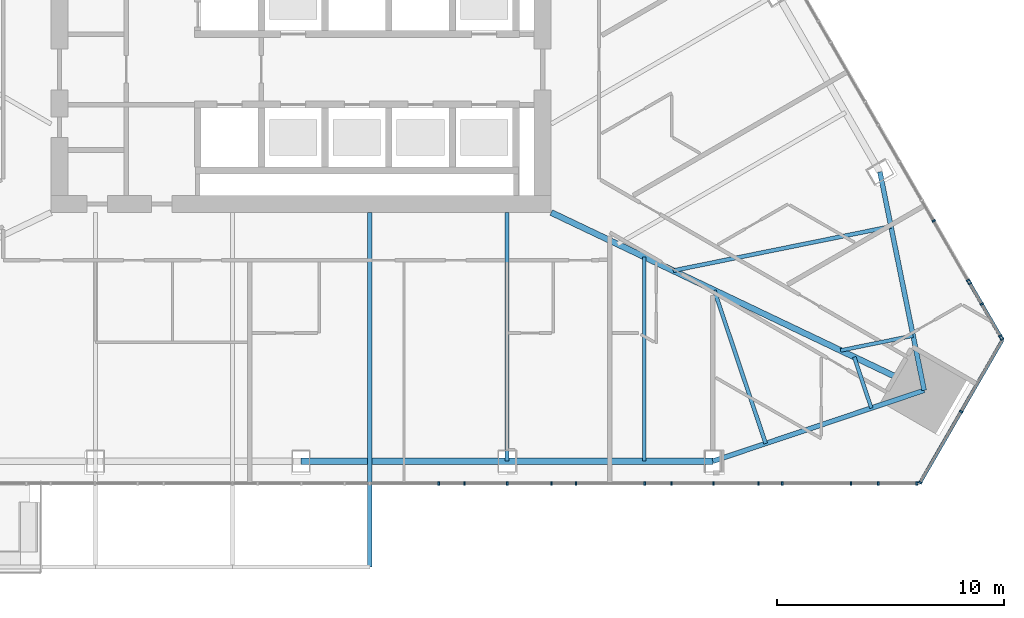
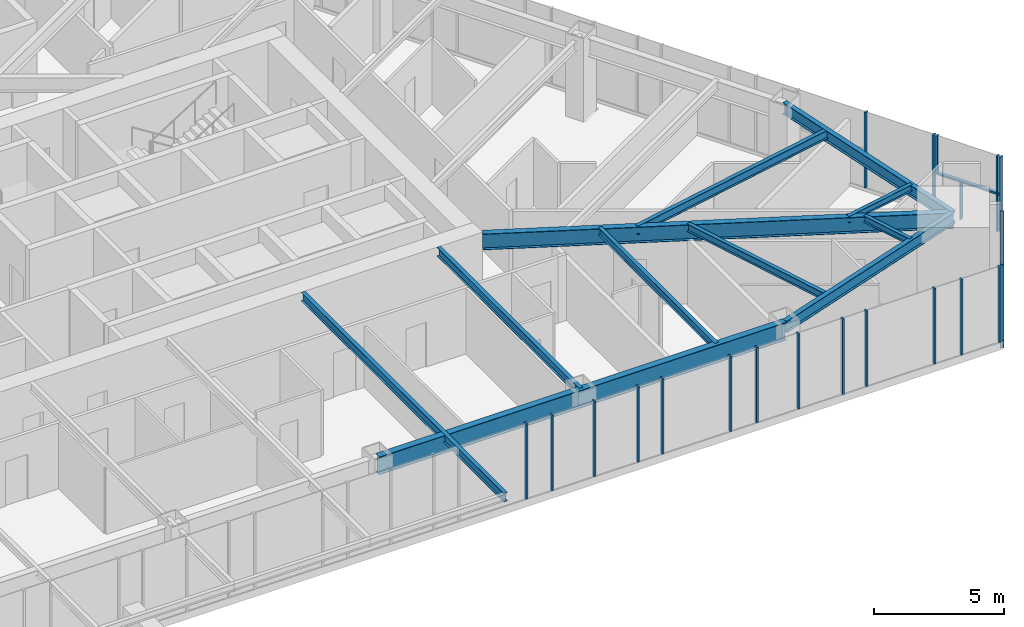
# One storey, part 6 of 35: 24 members, 11 beams, 3 elements without a shape of their own.
"""IFC4 building model written with IfcOpenShell, lengths in metres."""

from ifc_helpers import new_model, si_unit, direction, frame, origin, origin_2d, place, context, subcontext, project, spatial, rectangle, i_section, extrude, material, layer, layer_set, material_profile, profile_set, type_object, element, aggregate, save


model = new_model("IFC4")

# Units and contexts
model_context = context("Model", 3, precision=1e-05, world=origin(), true_north=direction((0.0, 1.0)))
body_context = subcontext(model_context, "Body", "Model", "MODEL_VIEW")
ifc_project = project(units=[si_unit("LENGTHUNIT", "METRE"), si_unit("AREAUNIT", "SQUARE_METRE"), si_unit("VOLUMEUNIT", "CUBIC_METRE"), si_unit("PLANEANGLEUNIT", "RADIAN"), si_unit("MASSUNIT", "GRAM", prefix="KILO")], contexts=[model_context])

# Site, building, storey
site_placement = place(None, origin())
site = spatial("IfcSite", under=ifc_project, at=site_placement, CompositionType="ELEMENT")
building_placement = place(site_placement, origin())
building = spatial("IfcBuilding", under=site, at=building_placement, Name="Firuza Gate Tower and Library", CompositionType="ELEMENT")
storey_placement = place(building_placement, frame((0.0, 0.0, 159.699951171875)))
storey = spatial("IfcBuildingStorey", under=building, at=storey_placement, Name="L36", CompositionType="ELEMENT", Elevation=159.699951171875)

# Curtain wall, members
ifc_material_1 = material(Name="Aluminium 6063-T6", Category="aluminium")
ifc_layer_1 = layer(ifc_material_1, 0.14990234375)
ifc_layer_set_1 = layer_set([ifc_layer_1], Name="Unitised curtain wall, hotel")
curtain_wall_type_1 = type_object("IfcCurtainWallType", Name="Unitised curtain wall, hotel", PredefinedType="NOTDEFINED", material=ifc_layer_set_1)
placement = place(storey_placement, origin())
curtain_wall_1 = element("IfcCurtainWall", 1, at=placement, inside=storey, type_object=curtain_wall_type_1, Name="CW2 L36 S face", PredefinedType="NOTDEFINED")
ifc_material_2 = material(Name="Aluminium 6063-T6", Category="aluminium")
ifc_material_profile_1 = material_profile(ifc_material_2, rectangle(XDim=0.14990234375, YDim=0.080078125, at=origin_2d()))
ifc_profile_set_1 = profile_set([ifc_material_profile_1], Name="Aluminium 6063-T6")
member_type_1 = type_object("IfcMemberType", Name="Curtain wall mullion 80x150", PredefinedType="MULLION", material=ifc_profile_set_1)
member_1_placement = place(storey_placement, frame((81.045654296875, 55.086181640625, 0.150146484375), z_axis=(0.0, 0.0, 1.0), x_axis=(0.0, 1.0, 0.0)))
member_1 = element("IfcMember", 2, at=member_1_placement, type_object=member_type_1, Name="Mullion", PredefinedType="MULLION", context=body_context, shape_type="SweptSolid", body=[
    extrude(rectangle(XDim=0.14990234375, YDim=0.080078125, at=origin_2d()), origin(), (0.0, 0.0, 1.0), 3.5498046875),
])
member_2_placement = place(storey_placement, frame((84.068359375, 55.086181640625, 0.150146484375), z_axis=(0.0, 0.0, 1.0), x_axis=(0.0, 1.0, 0.0)))
member_2 = element("IfcMember", 3, at=member_2_placement, type_object=member_type_1, Name="Mullion", PredefinedType="MULLION", context=body_context, shape_type="SweptSolid", body=[
    extrude(rectangle(XDim=0.14990234375, YDim=0.080078125, at=origin_2d()), origin(), (0.0, 0.0, 1.0), 3.5498046875),
])
member_3_placement = place(storey_placement, frame((87.09130859375, 55.086181640625, 0.150146484375), z_axis=(0.0, 0.0, 1.0), x_axis=(0.0, 1.0, 0.0)))
member_3 = element("IfcMember", 4, at=member_3_placement, type_object=member_type_1, Name="Mullion", PredefinedType="MULLION", context=body_context, shape_type="SweptSolid", body=[
    extrude(rectangle(XDim=0.14990234375, YDim=0.080078125, at=origin_2d()), origin(), (0.0, 0.0, 1.0), 3.5498046875),
])
member_4_placement = place(storey_placement, frame((90.114013671875, 55.086181640625, 0.150146484375), z_axis=(0.0, 0.0, 1.0), x_axis=(0.0, 1.0, 0.0)))
member_4 = element("IfcMember", 5, at=member_4_placement, type_object=member_type_1, Name="Mullion", PredefinedType="MULLION", context=body_context, shape_type="SweptSolid", body=[
    extrude(rectangle(XDim=0.14990234375, YDim=0.080078125, at=origin_2d()), origin(), (0.0, 0.0, 1.0), 3.5498046875),
])
member_5_placement = place(storey_placement, frame((93.13671875, 55.086181640625, 0.150146484375), z_axis=(0.0, 0.0, 1.0), x_axis=(0.0, 1.0, 0.0)))
member_5 = element("IfcMember", 6, at=member_5_placement, type_object=member_type_1, Name="Mullion", PredefinedType="MULLION", context=body_context, shape_type="SweptSolid", body=[
    extrude(rectangle(XDim=0.14990234375, YDim=0.080078125, at=origin_2d()), origin(), (0.0, 0.0, 1.0), 3.5498046875),
])
member_6_placement = place(storey_placement, frame((96.15966796875, 55.086181640625, 0.150146484375), z_axis=(0.0, 0.0, 1.0), x_axis=(0.0, 1.0, 0.0)))
member_6 = element("IfcMember", 7, at=member_6_placement, type_object=member_type_1, Name="Mullion", PredefinedType="MULLION", context=body_context, shape_type="SweptSolid", body=[
    extrude(rectangle(XDim=0.14990234375, YDim=0.080078125, at=origin_2d()), origin(), (0.0, 0.0, 1.0), 3.5498046875),
])
member_7_placement = place(storey_placement, frame((99.182373046875, 55.086181640625, 0.150146484375), z_axis=(0.0, 0.0, 1.0), x_axis=(0.0, 1.0, 0.0)))
member_7 = element("IfcMember", 8, at=member_7_placement, type_object=member_type_1, Name="Mullion", PredefinedType="MULLION", context=body_context, shape_type="SweptSolid", body=[
    extrude(rectangle(XDim=0.14990234375, YDim=0.080078125, at=origin_2d()), origin(), (0.0, 0.0, 1.0), 3.5498046875),
])
member_8_placement = place(storey_placement, frame((82.187744140625, 55.086181640625, 0.150146484375), z_axis=(0.0, 0.0, 1.0), x_axis=(0.0, 1.0, 0.0)))
member_8 = element("IfcMember", 9, at=member_8_placement, type_object=member_type_1, Name="Mullion", PredefinedType="MULLION", context=body_context, shape_type="SweptSolid", body=[
    extrude(rectangle(XDim=0.14990234375, YDim=0.080078125, at=origin_2d()), origin(), (0.0, 0.0, 1.0), 3.5498046875),
])
member_9_placement = place(storey_placement, frame((86.01220703125, 55.086181640625, 0.150146484375), z_axis=(0.0, 0.0, 1.0), x_axis=(0.0, 1.0, 0.0)))
member_9 = element("IfcMember", 10, at=member_9_placement, type_object=member_type_1, Name="Mullion", PredefinedType="MULLION", context=body_context, shape_type="SweptSolid", body=[
    extrude(rectangle(XDim=0.14990234375, YDim=0.080078125, at=origin_2d()), origin(), (0.0, 0.0, 1.0), 3.5498046875),
])
member_10_placement = place(storey_placement, frame((91.28759765625, 55.086181640625, 0.150146484375), z_axis=(0.0, 0.0, 1.0), x_axis=(0.0, 1.0, 0.0)))
member_10 = element("IfcMember", 11, at=member_10_placement, type_object=member_type_1, Name="Mullion", PredefinedType="MULLION", context=body_context, shape_type="SweptSolid", body=[
    extrude(rectangle(XDim=0.14990234375, YDim=0.080078125, at=origin_2d()), origin(), (0.0, 0.0, 1.0), 3.5498046875),
])
member_11_placement = place(storey_placement, frame((95.1123046875, 55.086181640625, 0.150146484375), z_axis=(0.0, 0.0, 1.0), x_axis=(0.0, 1.0, 0.0)))
member_11 = element("IfcMember", 12, at=member_11_placement, type_object=member_type_1, Name="Mullion", PredefinedType="MULLION", context=body_context, shape_type="SweptSolid", body=[
    extrude(rectangle(XDim=0.14990234375, YDim=0.080078125, at=origin_2d()), origin(), (0.0, 0.0, 1.0), 3.5498046875),
])
member_12_placement = place(storey_placement, frame((100.3876953125, 55.086181640625, 0.150146484375), z_axis=(0.0, 0.0, 1.0), x_axis=(0.0, 1.0, 0.0)))
member_12 = element("IfcMember", 13, at=member_12_placement, type_object=member_type_1, Name="Mullion", PredefinedType="MULLION", context=body_context, shape_type="SweptSolid", body=[
    extrude(rectangle(XDim=0.14990234375, YDim=0.080078125, at=origin_2d()), origin(), (0.0, 0.0, 1.0), 3.5498046875),
])
member_13_placement = place(storey_placement, frame((102.0771484375, 55.086181640625, 0.150146484375), z_axis=(0.0, 0.0, 1.0), x_axis=(0.0, 1.0, 0.0)))
member_13 = element("IfcMember", 14, at=member_13_placement, type_object=member_type_1, Name="Mullion", PredefinedType="MULLION", context=body_context, shape_type="SweptSolid", body=[
    extrude(rectangle(XDim=0.14990234375, YDim=0.080078125, at=origin_2d()), origin(), (0.0, 0.0, 1.0), 3.5498046875),
])
aggregate(curtain_wall_1, [member_1, member_2, member_3, member_4, member_5, member_6, member_7, member_8, member_9, member_10, member_11, member_12, member_13])

ifc_material_3 = material(Name="Aluminium 6063-T6", Category="aluminium")
ifc_layer_2 = layer(ifc_material_3, 0.14990234375)
ifc_layer_set_2 = layer_set([ifc_layer_2], Name="Corner curtain wall, chamfers")
curtain_wall_type_2 = type_object("IfcCurtainWallType", Name="Corner curtain wall, chamfers", PredefinedType="NOTDEFINED", material=ifc_layer_set_2)
curtain_wall_2 = element("IfcCurtainWall", 15, at=placement, inside=storey, type_object=curtain_wall_type_2, Name="CW4 L36 SE corner", PredefinedType="NOTDEFINED")
member_14_placement = place(storey_placement, frame((102.225341796875, 55.120849609375, 0.150146484375), z_axis=(0.0, 0.0, 1.0), x_axis=(-0.866025403784, 0.5, 0.0)))
member_14 = element("IfcMember", 16, at=member_14_placement, type_object=member_type_1, Name="Mullion", PredefinedType="MULLION", context=body_context, shape_type="SweptSolid", body=[
    extrude(rectangle(XDim=0.14990234375, YDim=0.080078125, at=origin_2d()), origin(), (0.0, 0.0, 1.0), 3.5498046875),
])
member_15_placement = place(storey_placement, frame((104.02685546875, 58.2412109375, 0.150146484375), z_axis=(0.0, 0.0, 1.0), x_axis=(-0.866025403784, 0.5, 0.0)))
member_15 = element("IfcMember", 17, at=member_15_placement, type_object=member_type_1, Name="Mullion", PredefinedType="MULLION", context=body_context, shape_type="SweptSolid", body=[
    extrude(rectangle(XDim=0.14990234375, YDim=0.080078125, at=origin_2d()), origin(), (0.0, 0.0, 1.0), 3.5498046875),
])

curtain_wall_3 = element("IfcCurtainWall", 18, at=placement, inside=storey, type_object=curtain_wall_type_1, Name="CW2 L36 E face", PredefinedType="NOTDEFINED")
member_16_placement = place(storey_placement, frame((105.82861328125, 61.43115234375, 0.150146484375), z_axis=(0.0, 0.0, 1.0), x_axis=(-0.866025403784, -0.5, 0.0)))
member_16 = element("IfcMember", 19, at=member_16_placement, type_object=member_type_1, Name="Mullion", PredefinedType="MULLION", context=body_context, shape_type="SweptSolid", body=[
    extrude(rectangle(XDim=0.14990234375, YDim=0.080078125, at=origin_2d()), origin(), (0.0, 0.0, 1.0), 3.5498046875),
])
member_17_placement = place(storey_placement, frame((104.337158203125, 64.014404296875, 0.150146484375), z_axis=(0.0, 0.0, 1.0), x_axis=(-0.866025403784, -0.5, 0.0)))
member_17 = element("IfcMember", 20, at=member_17_placement, type_object=member_type_1, Name="Mullion", PredefinedType="MULLION", context=body_context, shape_type="SweptSolid", body=[
    extrude(rectangle(XDim=0.14990234375, YDim=0.080078125, at=origin_2d()), origin(), (0.0, 0.0, 1.0), 3.5498046875),
])
member_18_placement = place(storey_placement, frame((102.82568359375, 66.632080078125, 0.150146484375), z_axis=(0.0, 0.0, 1.0), x_axis=(-0.866025403784, -0.5, 0.0)))
member_18 = element("IfcMember", 21, at=member_18_placement, type_object=member_type_1, Name="Mullion", PredefinedType="MULLION", context=body_context, shape_type="SweptSolid", body=[
    extrude(rectangle(XDim=0.14990234375, YDim=0.080078125, at=origin_2d()), origin(), (0.0, 0.0, 1.0), 3.5498046875),
])
member_19_placement = place(storey_placement, frame((105.751953125, 61.563720703125, 0.150146484375), z_axis=(0.0, 0.0, 1.0), x_axis=(-0.866025403784, -0.5, 0.0)))
member_19 = element("IfcMember", 22, at=member_19_placement, type_object=member_type_1, Name="Mullion", PredefinedType="MULLION", context=body_context, shape_type="SweptSolid", body=[
    extrude(rectangle(XDim=0.14990234375, YDim=0.080078125, at=origin_2d()), origin(), (0.0, 0.0, 1.0), 1.73486328125),
])
member_20_placement = place(storey_placement, frame((104.939697265625, 62.970458984375, 0.150146484375), z_axis=(0.0, 0.0, 1.0), x_axis=(-0.866025403784, -0.5, 0.0)))
member_20 = element("IfcMember", 23, at=member_20_placement, type_object=member_type_1, Name="Mullion", PredefinedType="MULLION", context=body_context, shape_type="SweptSolid", body=[
    extrude(rectangle(XDim=0.14990234375, YDim=0.080078125, at=origin_2d()), origin(), (0.0, 0.0, 1.0), 1.73486328125),
])
member_21_placement = place(storey_placement, frame((105.751953125, 61.563720703125, 1.965087890625), z_axis=(0.0, 0.0, 1.0), x_axis=(-0.866025403784, -0.5, 0.0)))
member_21 = element("IfcMember", 24, at=member_21_placement, type_object=member_type_1, Name="Mullion", PredefinedType="MULLION", context=body_context, shape_type="SweptSolid", body=[
    extrude(rectangle(XDim=0.14990234375, YDim=0.080078125, at=origin_2d()), origin(), (0.0, 0.0, 1.0), 1.73486328125),
])
member_22_placement = place(storey_placement, frame((104.410400390625, 63.887451171875, 1.965087890625), z_axis=(0.0, 0.0, 1.0), x_axis=(-0.866025403784, -0.5, 0.0)))
member_22 = element("IfcMember", 25, at=member_22_placement, type_object=member_type_1, Name="Mullion", PredefinedType="MULLION", context=body_context, shape_type="SweptSolid", body=[
    extrude(rectangle(XDim=0.14990234375, YDim=0.080078125, at=origin_2d()), origin(), (0.0, 0.0, 1.0), 1.73486328125),
])

# Member
ifc_material_4 = material(Name="Aluminium 6063-T6", Category="aluminium")
ifc_material_profile_2 = material_profile(ifc_material_4, rectangle(XDim=0.14990234375, YDim=0.35009765625, at=origin_2d()))
ifc_profile_set_2 = profile_set([ifc_material_profile_2], Name="Aluminium 6063-T6")
member_type_2 = type_object("IfcMemberType", Name="Curtain wall transom 350x150", PredefinedType="USERDEFINED", material=ifc_profile_set_2)
member_23_placement = place(storey_placement, frame((102.205322265625, 55.086181640625, -0.02490234375), z_axis=(0.500005719219, 0.866022101766, 0.0), x_axis=(-0.866022101766, 0.500005719219, 0.0)))
member_23 = element("IfcMember", 26, at=member_23_placement, type_object=member_type_2, Name="Transom", ObjectType="TRANSOM", PredefinedType="USERDEFINED", context=body_context, shape_type="SweptSolid", body=[
    extrude(rectangle(XDim=0.14990234375, YDim=0.35009765625, at=origin_2d()), origin(), (0.0, 0.0, 1.0), 7.28662109375),
])

aggregate(curtain_wall_2, [member_14, member_15, member_23])

ifc_material_5 = material(Name="Aluminium 6063-T6", Category="aluminium")
ifc_material_profile_3 = material_profile(ifc_material_5, rectangle(XDim=0.14990234375, YDim=0.080078125, at=origin_2d()))
ifc_profile_set_3 = profile_set([ifc_material_profile_3], Name="Aluminium 6063-T6")
member_type_3 = type_object("IfcMemberType", Name="Curtain wall transom 80x150", PredefinedType="USERDEFINED", material=ifc_profile_set_3)
member_24_placement = place(storey_placement, frame((105.82861328125, 61.43115234375, 1.925048828125), z_axis=(-0.500002522405, 0.866023947468, 0.0), x_axis=(-0.866023947468, -0.500002522405, 0.0)))
member_24 = element("IfcMember", 27, at=member_24_placement, type_object=member_type_3, Name="Transom", ObjectType="TRANSOM", PredefinedType="USERDEFINED", context=body_context, shape_type="SweptSolid", body=[
    extrude(rectangle(XDim=0.14990234375, YDim=0.080078125, at=origin_2d()), origin(), (0.0, 0.0, 1.0), 2.94287109375),
])

aggregate(curtain_wall_3, [member_16, member_17, member_18, member_19, member_20, member_21, member_22, member_24])

# Beams
ifc_material_6 = material(Name="Steel S355", Category="steel")
ifc_material_profile_4 = material_profile(ifc_material_6, i_section(OverallWidth=0.1650390625, OverallDepth=0.31005859375, WebThickness=0.005859375, FlangeThickness=0.009765625, at=origin_2d()))
ifc_profile_set_4 = profile_set([ifc_material_profile_4], Name="Steel S355")
beam_type_1 = type_object("IfcBeamType", Name="W310x39 Floor beam", PredefinedType="JOIST", material=ifc_profile_set_4)
beam_1_placement = place(storey_placement, frame((100.079345703125, 58.3994140625, 3.545166015625), z_axis=(-0.318019732569, 0.948084094212, 0.0), x_axis=(-0.948084094212, -0.318019732569, 0.0)))
element("IfcBeam", 28, at=beam_1_placement, inside=storey, type_object=beam_type_1, Name="Floor beam L36 s31", PredefinedType="JOIST", context=body_context, shape_type="SweptSolid", body=[
    extrude(i_section(OverallWidth=0.1650390625, OverallDepth=0.31005859375, WebThickness=0.005859375, FlangeThickness=0.009765625, at=origin_2d()), origin(), (0.0, 0.0, 1.0), 2.369873046875),
])
beam_2_placement = place(storey_placement, frame((101.916259765625, 61.5810546875, 3.545166015625), z_axis=(-0.98006147131, -0.198694520443, 0.0), x_axis=(0.198694520443, -0.98006147131, 0.0)))
element("IfcBeam", 29, at=beam_2_placement, inside=storey, type_object=beam_type_1, Name="Floor beam L36 s40", PredefinedType="JOIST", context=body_context, shape_type="SweptSolid", body=[
    extrude(i_section(OverallWidth=0.1650390625, OverallDepth=0.31005859375, WebThickness=0.005859375, FlangeThickness=0.009765625, at=origin_2d()), origin(), (0.0, 0.0, 1.0), 3.258544921875),
])
ifc_material_7 = material(Name="Steel S355", Category="steel")
ifc_material_profile_5 = material_profile(ifc_material_7, i_section(OverallWidth=0.1708984375, OverallDepth=0.35498046875, WebThickness=0.007080078125, FlangeThickness=0.01171875, at=origin_2d()))
ifc_profile_set_5 = profile_set([ifc_material_profile_5], Name="Steel S355")
beam_type_2 = type_object("IfcBeamType", Name="W360x51 Floor beam", PredefinedType="JOIST", material=ifc_profile_set_5)
beam_3_placement = place(storey_placement, frame((90.08984375, 56.06103515625, 3.5224609375), z_axis=(0.0, 1.0, 0.0), x_axis=(-1.0, 0.0, 0.0)))
element("IfcBeam", 30, at=beam_3_placement, inside=storey, type_object=beam_type_2, Name="Floor beam L36 s25", PredefinedType="JOIST", context=body_context, shape_type="SweptSolid", body=[
    extrude(i_section(OverallWidth=0.1708984375, OverallDepth=0.35498046875, WebThickness=0.007080078125, FlangeThickness=0.01171875, at=origin_2d()), origin(), (0.0, 0.0, 1.0), 8.98876953125),
])
beam_4_placement = place(storey_placement, frame((95.431640625, 56.840576171875, 3.5224609375), z_axis=(-0.31799921866, 0.948090975029, 0.0), x_axis=(-0.948090975029, -0.31799921866, 0.0)))
element("IfcBeam", 31, at=beam_4_placement, inside=storey, type_object=beam_type_2, Name="Floor beam L36 s30", PredefinedType="JOIST", context=body_context, shape_type="SweptSolid", body=[
    extrude(i_section(OverallWidth=0.1708984375, OverallDepth=0.35498046875, WebThickness=0.007080078125, FlangeThickness=0.01171875, at=origin_2d()), origin(), (0.0, 0.0, 1.0), 7.109375),
])
ifc_material_8 = material(Name="Steel S355", Category="steel")
ifc_material_profile_6 = material_profile(ifc_material_8, i_section(OverallWidth=0.177978515625, OverallDepth=0.406982421875, WebThickness=0.0078125, FlangeThickness=0.0126953125, at=origin_2d()))
ifc_profile_set_6 = profile_set([ifc_material_profile_6], Name="Steel S355")
beam_type_3 = type_object("IfcBeamType", Name="W410x60 Floor beam", PredefinedType="JOIST", material=ifc_profile_set_6)
beam_5_placement = place(storey_placement, frame((78.01806640625, 51.4111328125, 3.49658203125), z_axis=(0.0, 1.0, 0.0), x_axis=(-1.0, 0.0, 0.0)))
element("IfcBeam", 32, at=beam_5_placement, inside=storey, type_object=beam_type_3, Name="Floor beam L36 s23", PredefinedType="JOIST", context=body_context, shape_type="SweptSolid", body=[
    extrude(i_section(OverallWidth=0.177978515625, OverallDepth=0.406982421875, WebThickness=0.0078125, FlangeThickness=0.0126953125, at=origin_2d()), origin(), (0.0, 0.0, 1.0), 15.5888671875),
])
beam_6_placement = place(storey_placement, frame((84.053955078125, 56.06103515625, 3.49658203125), z_axis=(0.0, 1.0, 0.0), x_axis=(-1.0, 0.0, 0.0)))
element("IfcBeam", 33, at=beam_6_placement, inside=storey, type_object=beam_type_3, Name="Floor beam L36 s24", PredefinedType="JOIST", context=body_context, shape_type="SweptSolid", body=[
    extrude(i_section(OverallWidth=0.177978515625, OverallDepth=0.406982421875, WebThickness=0.0078125, FlangeThickness=0.0126953125, at=origin_2d()), origin(), (0.0, 0.0, 1.0), 10.93896484375),
])
beam_7_placement = place(storey_placement, frame((100.9423828125, 66.38525390625, 3.49658203125), z_axis=(-0.980070211277, -0.19865140565, 0.0), x_axis=(0.19865140565, -0.980070211277, 0.0)))
element("IfcBeam", 34, at=beam_7_placement, inside=storey, type_object=beam_type_3, Name="Floor beam L36 s41", PredefinedType="JOIST", context=body_context, shape_type="SweptSolid", body=[
    extrude(i_section(OverallWidth=0.177978515625, OverallDepth=0.406982421875, WebThickness=0.0078125, FlangeThickness=0.0126953125, at=origin_2d()), origin(), (0.0, 0.0, 1.0), 9.775390625),
])
ifc_material_9 = material(Name="Steel S355", Category="steel")
ifc_material_profile_7 = material_profile(ifc_material_9, i_section(OverallWidth=0.212890625, OverallDepth=0.5390625, WebThickness=0.01171875, FlangeThickness=0.018798828125, at=origin_2d()))
ifc_profile_set_7 = profile_set([ifc_material_profile_7], Name="Steel S355")
beam_type_4 = type_object("IfcBeamType", Name="W530x109 Edge beam", PredefinedType="SPANDREL", material=ifc_profile_set_7)
for number, where, z_axis, x_axis, name in (
    (35, (93.10791015625, 56.06103515625, 3.4306640625), (0.94809146996, 0.317997743056, 0.0), (-0.317997743056, 0.94809146996, 0.0), "Edge beam L36 e30"),
    (36, (102.403076171875, 59.1787109375, 3.4306640625), (-0.198639155486, 0.980072694196, 0.0), (-0.980072694196, -0.198639155486, 0.0), "Edge beam L36 e40"),
):
    element("IfcBeam", number, at=place(storey_placement, frame(where, z_axis=z_axis, x_axis=x_axis)), inside=storey, type_object=beam_type_4, Name=name, PredefinedType="SPANDREL", context=body_context, shape_type="SweptSolid", body=[
        extrude(i_section(OverallWidth=0.212890625, OverallDepth=0.5390625, WebThickness=0.01171875, FlangeThickness=0.018798828125, at=origin_2d()), origin(), (0.0, 0.0, 1.0), 9.80419921875),
    ])
ifc_material_10 = material(Name="Steel S355", Category="steel")
ifc_material_profile_8 = material_profile(ifc_material_10, i_section(OverallWidth=0.264892578125, OverallDepth=0.7529296875, WebThickness=0.01318359375, FlangeThickness=0.01708984375, at=origin_2d()))
ifc_profile_set_8 = profile_set([ifc_material_profile_8], Name="Steel S355")
beam_type_5 = type_object("IfcBeamType", Name="W760x147 Girder", PredefinedType="BEAM", material=ifc_profile_set_8)
beam_8_placement = place(storey_placement, frame((102.403076171875, 59.1787109375, 3.323486328125), z_axis=(-0.902640378669, 0.430395570141, 0.0), x_axis=(-0.430395570141, -0.902640378669, 0.0)))
element("IfcBeam", 37, at=beam_8_placement, inside=storey, type_object=beam_type_5, Name="Girder L36 gSE", PredefinedType="BEAM", context=body_context, shape_type="SweptSolid", body=[
    extrude(i_section(OverallWidth=0.264892578125, OverallDepth=0.7529296875, WebThickness=0.01318359375, FlangeThickness=0.01708984375, at=origin_2d()), origin(), (0.0, 0.0, 1.0), 18.17236328125),
])
ifc_material_11 = material(Name="Steel S355", Category="steel")
ifc_material_profile_9 = material_profile(ifc_material_11, i_section(OverallWidth=0.2919921875, OverallDepth=0.8349609375, WebThickness=0.013916015625, FlangeThickness=0.018798828125, at=origin_2d()))
ifc_profile_set_9 = profile_set([ifc_material_profile_9], Name="Steel S355")
beam_type_6 = type_object("IfcBeamType", Name="W840x176 Edge beam", PredefinedType="SPANDREL", material=ifc_profile_set_9)
beam_9_placement = place(storey_placement, frame((75.0, 56.06103515625, 3.282470703125), z_axis=(1.0, 0.0, 0.0), x_axis=(0.0, 1.0, 0.0)))
element("IfcBeam", 38, at=beam_9_placement, inside=storey, type_object=beam_type_6, Name="Edge beam L36 e22", PredefinedType="SPANDREL", context=body_context, shape_type="SweptSolid", body=[
    extrude(i_section(OverallWidth=0.2919921875, OverallDepth=0.8349609375, WebThickness=0.013916015625, FlangeThickness=0.018798828125, at=origin_2d()), origin(), (0.0, 0.0, 1.0), 18.10791015625),
])

save(model, "model.ifc")
